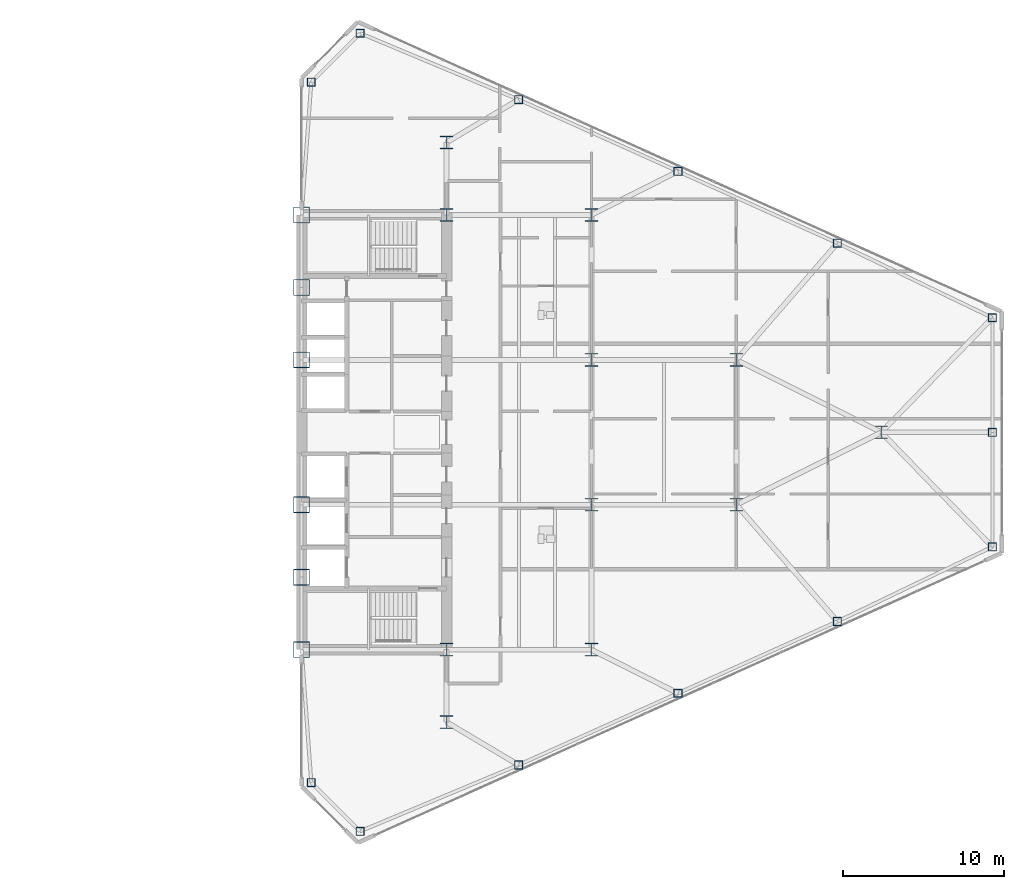
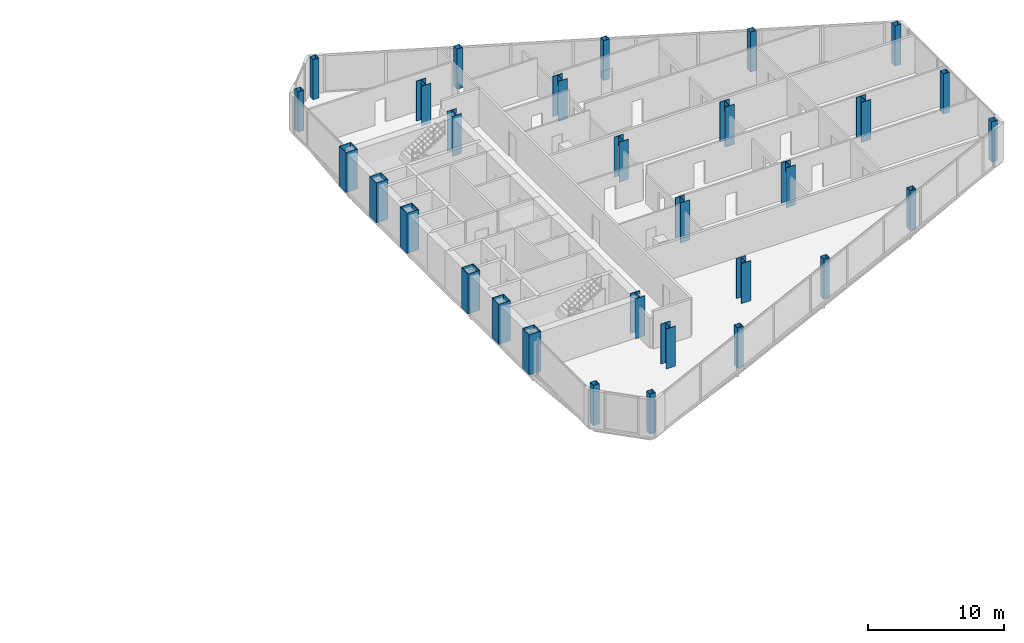
# One storey, part 2 of 27: 30 columns.
"""IFC4 building model written with IfcOpenShell, lengths in metres."""

from ifc_helpers import new_model, si_unit, direction, frame, origin, origin_2d, place, context, subcontext, project, spatial, hollow_rectangle, i_section, extrude, source, transform, mapped, material, material_profile, profile_set, type_object, type_shapes, element, save


model = new_model("IFC4")

# Units and contexts
model_context = context("Model", 3, precision=1e-05, world=origin(), true_north=direction((0.0, 1.0)))
body_context = subcontext(model_context, "Body", "Model", "MODEL_VIEW")
ifc_project = project(units=[si_unit("LENGTHUNIT", "METRE"), si_unit("AREAUNIT", "SQUARE_METRE"), si_unit("VOLUMEUNIT", "CUBIC_METRE"), si_unit("PLANEANGLEUNIT", "RADIAN"), si_unit("MASSUNIT", "GRAM", prefix="KILO")], contexts=[model_context])

# Site, building, storey
site_placement = place(None, origin())
site = spatial("IfcSite", under=ifc_project, at=site_placement, CompositionType="ELEMENT")
building_placement = place(site_placement, origin())
building = spatial("IfcBuilding", under=site, at=building_placement, Name="Seokmaru Belvedere", CompositionType="ELEMENT")
storey_placement = place(building_placement, frame((0.0, 0.0, 72.89990234375)))
storey = spatial("IfcBuildingStorey", under=building, at=storey_placement, Name="L19", CompositionType="ELEMENT", Elevation=72.89990234375)

# Columns
ifc_material_1 = material(Name="Steel SM355 (355 MPa)", Category="steel")
ifc_material_profile_1 = material_profile(ifc_material_1, hollow_rectangle(XDim=0.5, YDim=0.5, WallThickness=0.02001953125, at=origin_2d()), Name="HSS-500x500x20")
ifc_profile_set_1 = profile_set([ifc_material_profile_1], Name="Steel SM355 (355 MPa)")
column_type_1 = type_object("IfcColumnType", Name="Perimeter Facet Column HSS-500", PredefinedType="COLUMN", material=ifc_profile_set_1)
shared_shape_1 = source(origin(), body_context, "Body", "SweptSolid", [
    extrude(hollow_rectangle(XDim=0.5, YDim=0.5, WallThickness=0.02001953125, at=origin_2d()), origin(), (0.0, 0.0, 1.0), 3.60009765625),
])
type_shapes(column_type_1, [shared_shape_1])
for number, where, z_axis, x_axis, name in (
    (1, (31.13134765625, -24.782958984375, 0.0), (0.0, 0.0, 1.0), (1.0, 0.0, 0.0), "L19 Column EF1"),
    (2, (70.39990234375, -7.112060546875, 0.0), (0.0, 0.0, 1.0), (1.0, 0.0, 0.0), "L19 Column EF2"),
    (3, (70.39990234375, 7.112060546875, 0.0), (0.0, 0.0, 1.0), (1.0, 0.0, 0.0), "L19 Column EF3"),
    (4, (31.13134765625, 24.782958984375, 0.0), (0.0, 0.0, 1.0), (1.0, 0.0, 0.0), "L19 Column EF4"),
    (5, (28.10009765625, 21.75146484375, 0.0), (0.0, 0.0, 1.0), (1.0, 0.0, 0.0), "L19 Column EF5"),
    (6, (28.10009765625, -21.75146484375, 0.0), (0.0, 0.0, 1.0), (1.0, 0.0, 0.0), "L19 Column EF6"),
    (7, (40.97265625, -20.661376953125, 0.0), (0.0, 0.0, 1.0), (1.0, 0.0, 0.0), "L19 Column EFLK_S1"),
    (8, (50.875, -16.205322265625, 0.0), (0.0, 0.0, 1.0), (1.0, 0.0, 0.0), "L19 Column EFLK_S2"),
    (9, (60.777587890625, -11.749267578125, 0.0), (0.0, 0.0, 1.0), (1.0, 0.0, 0.0), "L19 Column EFLK_S3"),
    (10, (40.97265625, 20.661376953125, 0.0), (0.0, 0.0, 1.0), (1.0, 0.0, 0.0), "L19 Column EFLK_N1"),
    (11, (50.875, 16.205322265625, 0.0), (0.0, 0.0, 1.0), (1.0, 0.0, 0.0), "L19 Column EFLK_N2"),
    (12, (60.777587890625, 11.749267578125, 0.0), (0.0, 0.0, 1.0), (1.0, 0.0, 0.0), "L19 Column EFLK_N3"),
    (13, (70.39990234375, 0.0, 0.0), (0.0, 0.0, 1.0), (1.0, 0.0, 0.0), "L19 Column EF_APXM"),
):
    element("IfcColumn", number, at=place(storey_placement, frame(where, z_axis=z_axis, x_axis=x_axis)), inside=storey, type_object=column_type_1, Name=name, PredefinedType="COLUMN", context=body_context, shape_type="MappedRepresentation", body=[
        mapped(shared_shape_1, transform((0.0, 0.0, 0.0), scale=1.0)),
    ])
ifc_material_2 = material(Name="Steel HSA650 (650 MPa)", Category="steel")
ifc_material_profile_2 = material_profile(ifc_material_2, hollow_rectangle(XDim=1.0, YDim=1.0, WallThickness=0.0419921875, at=origin_2d()), Name="BOX-1000x1000x42")
ifc_profile_set_2 = profile_set([ifc_material_profile_2], Name="Steel HSA650 (650 MPa)")
column_type_2 = type_object("IfcColumnType", Name="Portal Spine Column BOX-1000", PredefinedType="COLUMN", material=ifc_profile_set_2)
shared_shape_2 = source(origin(), body_context, "Body", "SweptSolid", [
    extrude(hollow_rectangle(XDim=1.0, YDim=1.0, WallThickness=0.0419921875, at=origin_2d()), origin(), (0.0, 0.0, 1.0), 3.60009765625),
])
type_shapes(column_type_2, [shared_shape_2])
for number, where, z_axis, x_axis, name in (
    (14, (27.5, -13.5, 0.0), (0.0, 0.0, 1.0), (1.0, 0.0, 0.0), "L19 Column ES1"),
    (15, (27.5, -9.0, 0.0), (0.0, 0.0, 1.0), (1.0, 0.0, 0.0), "L19 Column ES2"),
    (16, (27.5, -4.5, 0.0), (0.0, 0.0, 1.0), (1.0, 0.0, 0.0), "L19 Column ES3"),
    (17, (27.5, 4.5, 0.0), (0.0, 0.0, 1.0), (1.0, 0.0, 0.0), "L19 Column ES4"),
    (18, (27.5, 9.0, 0.0), (0.0, 0.0, 1.0), (1.0, 0.0, 0.0), "L19 Column ES5"),
    (19, (27.5, 13.5, 0.0), (0.0, 0.0, 1.0), (1.0, 0.0, 0.0), "L19 Column ES6"),
):
    element("IfcColumn", number, at=place(storey_placement, frame(where, z_axis=z_axis, x_axis=x_axis)), inside=storey, type_object=column_type_2, Name=name, PredefinedType="COLUMN", context=body_context, shape_type="MappedRepresentation", body=[
        mapped(shared_shape_2, transform((0.0, 0.0, 0.0), scale=1.0)),
    ])
ifc_material_profile_3 = material_profile(ifc_material_1, i_section(OverallWidth=0.800048828125, OverallDepth=0.800048828125, WebThickness=0.031982421875, FlangeThickness=0.050048828125, at=origin_2d()), Name="H-800x800x32x50")
ifc_profile_set_3 = profile_set([ifc_material_profile_3], Name="Steel SM355 (355 MPa)")
column_type_3 = type_object("IfcColumnType", Name="Lower-Mid Interior Column H-800", PredefinedType="COLUMN", material=ifc_profile_set_3)
shared_shape_3 = source(origin(), body_context, "Body", "SweptSolid", [
    extrude(i_section(OverallWidth=0.800048828125, OverallDepth=0.800048828125, WebThickness=0.031982421875, FlangeThickness=0.050048828125, at=origin_2d()), origin(), (0.0, 0.0, 1.0), 3.60009765625),
])
type_shapes(column_type_3, [shared_shape_3])
for number, where, z_axis, x_axis, name in (
    (20, (36.5, -18.0, 0.0), (0.0, 0.0, 1.0), (1.0, 0.0, 0.0), "L19 Column EC1"),
    (21, (36.5, -13.5, 0.0), (0.0, 0.0, 1.0), (1.0, 0.0, 0.0), "L19 Column EC2"),
    (22, (36.5, 13.5, 0.0), (0.0, 0.0, 1.0), (1.0, 0.0, 0.0), "L19 Column EC3"),
    (23, (36.5, 18.0, 0.0), (0.0, 0.0, 1.0), (1.0, 0.0, 0.0), "L19 Column EC4"),
    (24, (45.5, -13.5, 0.0), (0.0, 0.0, 1.0), (1.0, 0.0, 0.0), "L19 Column EG5_1"),
    (25, (45.5, -4.5, 0.0), (0.0, 0.0, 1.0), (1.0, 0.0, 0.0), "L19 Column EG5_2"),
    (26, (45.5, 4.5, 0.0), (0.0, 0.0, 1.0), (1.0, 0.0, 0.0), "L19 Column EG5_3"),
    (27, (45.5, 13.5, 0.0), (0.0, 0.0, 1.0), (1.0, 0.0, 0.0), "L19 Column EG5_4"),
    (28, (54.5, -4.5, 0.0), (0.0, 0.0, 1.0), (1.0, 0.0, 0.0), "L19 Column EG4P_1"),
    (29, (54.5, 4.5, 0.0), (0.0, 0.0, 1.0), (1.0, 0.0, 0.0), "L19 Column EG4P_2"),
    (30, (63.5, 0.0, 0.0), (0.0, 0.0, 1.0), (1.0, 0.0, 0.0), "L19 Column EG3P_1"),
):
    element("IfcColumn", number, at=place(storey_placement, frame(where, z_axis=z_axis, x_axis=x_axis)), inside=storey, type_object=column_type_3, Name=name, PredefinedType="COLUMN", context=body_context, shape_type="MappedRepresentation", body=[
        mapped(shared_shape_3, transform((0.0, 0.0, 0.0), scale=1.0)),
    ])

save(model, "model.ifc")
